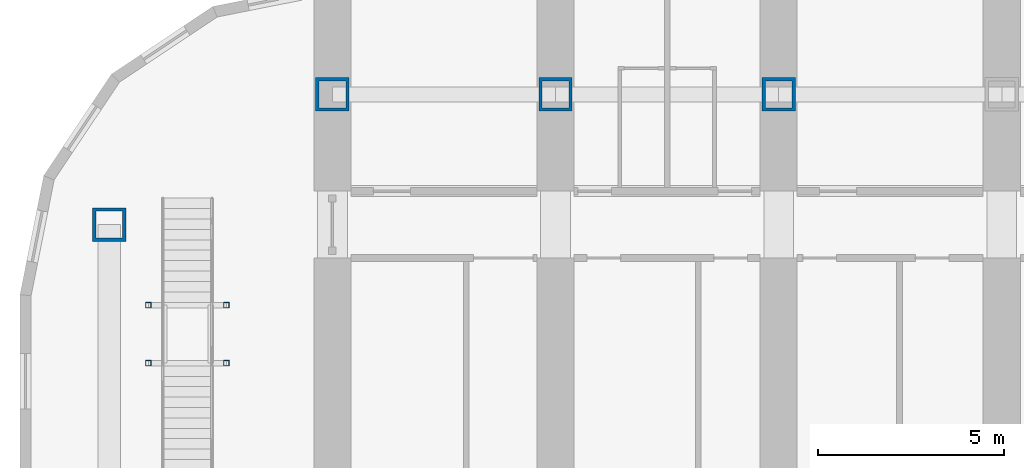
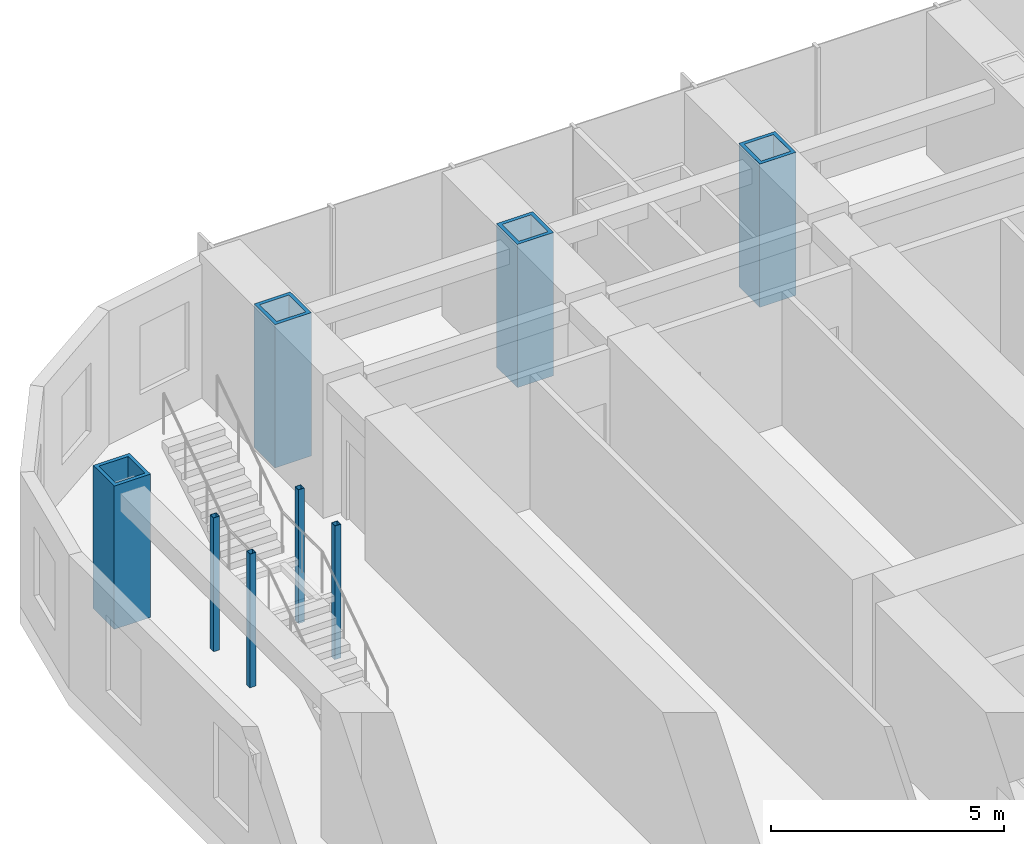
# One storey, part 2 of 26: 8 columns.
"""IFC4 building model written with IfcOpenShell, lengths in metres."""

from ifc_helpers import new_model, si_unit, direction, frame, origin, origin_2d, place, context, subcontext, project, spatial, hollow_rectangle, extrude, material, material_profile, profile_set, type_object, element, save


model = new_model("IFC4")

# Units and contexts
model_context = context("Model", 3, precision=1e-05, world=origin(), true_north=direction((0.0, 1.0)))
body_context = subcontext(model_context, "Body", "Model", "MODEL_VIEW")
ifc_project = project(units=[si_unit("LENGTHUNIT", "METRE"), si_unit("AREAUNIT", "SQUARE_METRE"), si_unit("VOLUMEUNIT", "CUBIC_METRE"), si_unit("PLANEANGLEUNIT", "RADIAN"), si_unit("MASSUNIT", "GRAM", prefix="KILO")], contexts=[model_context])

# Site, building, storey
site_placement = place(None, origin())
site = spatial("IfcSite", under=ifc_project, at=site_placement, CompositionType="ELEMENT")
building_placement = place(site_placement, origin())
building = spatial("IfcBuilding", under=site, at=building_placement, Name="Orbita Commons", CompositionType="ELEMENT")
storey_placement = place(building_placement, frame((0.0, 0.0, 53.949951171875)))
storey = spatial("IfcBuildingStorey", under=building, at=storey_placement, Name="L13", CompositionType="ELEMENT", Elevation=53.949951171875)

# Columns
ifc_material_1 = material(Name="Steel ASTM A992", Category="steel")
ifc_material_profile_1 = material_profile(ifc_material_1, hollow_rectangle(XDim=0.14990234375, YDim=0.14990234375, WallThickness=0.008056640625, at=origin_2d()), Name="SHS 150x150x8")
ifc_profile_set_1 = profile_set([ifc_material_profile_1], Name="Steel ASTM A992")
column_type_1 = type_object("IfcColumnType", Name="Landing post SHS 150x150x8", PredefinedType="COLUMN", material=ifc_profile_set_1)
for number, where, z_axis, x_axis, name in (
    (1, (7.050048828125, 46.375, 0.0), (0.0, 0.0, 1.0), (1.0, 0.0, 0.0), "Neighbourhood stair L13 to L14 landing post 1"),
    (2, (9.14990234375, 46.375, 0.0), (0.0, 0.0, 1.0), (1.0, 0.0, 0.0), "Neighbourhood stair L13 to L14 landing post 2"),
    (3, (7.050048828125, 47.93505859375, 0.0), (0.0, 0.0, 1.0), (1.0, 0.0, 0.0), "Neighbourhood stair L13 to L14 landing post 3"),
    (4, (9.14990234375, 47.93505859375, 0.0), (0.0, 0.0, 1.0), (1.0, 0.0, 0.0), "Neighbourhood stair L13 to L14 landing post 4"),
):
    element("IfcColumn", number, at=place(storey_placement, frame(where, z_axis=z_axis, x_axis=x_axis)), inside=storey, type_object=column_type_1, Name=name, PredefinedType="COLUMN", context=body_context, shape_type="SweptSolid", body=[
        extrude(hollow_rectangle(XDim=0.14990234375, YDim=0.14990234375, WallThickness=0.008056640625, at=origin_2d()), origin(), (0.0, 0.0, 1.0), 3.5),
    ])
ifc_material_2 = material(Name="Steel ASTM A572 Gr 50 welded plate", Category="steel")
ifc_material_profile_2 = material_profile(ifc_material_2, hollow_rectangle(XDim=0.89990234375, YDim=0.89990234375, WallThickness=0.090087890625, at=origin_2d()), Name="BOX 900x900x90")
ifc_profile_set_2 = profile_set([ifc_material_profile_2], Name="Steel ASTM A572 Gr 50 welded plate")
column_type_2 = type_object("IfcColumnType", Name="Steel column BOX 900x900x90", PredefinedType="COLUMN", material=ifc_profile_set_2)
for number, where, z_axis, x_axis, name in (
    (5, (12.0, 53.60009765625, 0.0), (0.0, 0.0, 1.0), (1.0, 0.0, 0.0), "Column 3/E L13"),
    (6, (18.0, 53.60009765625, 0.0), (0.0, 0.0, 1.0), (1.0, 0.0, 0.0), "Column 4/E L13"),
    (7, (24.0, 53.60009765625, 0.0), (0.0, 0.0, 1.0), (1.0, 0.0, 0.0), "Column 5/E L13"),
    (8, (6.0, 50.10009765625, 0.0), (0.0, 0.0, 1.0), (1.0, 0.0, 0.0), "Column 2/50.1 L13"),
):
    element("IfcColumn", number, at=place(storey_placement, frame(where, z_axis=z_axis, x_axis=x_axis)), inside=storey, type_object=column_type_2, Name=name, PredefinedType="COLUMN", context=body_context, shape_type="SweptSolid", body=[
        extrude(hollow_rectangle(XDim=0.89990234375, YDim=0.89990234375, WallThickness=0.090087890625, at=origin_2d()), origin(), (0.0, 0.0, 1.0), 3.75),
    ])

save(model, "model.ifc")
